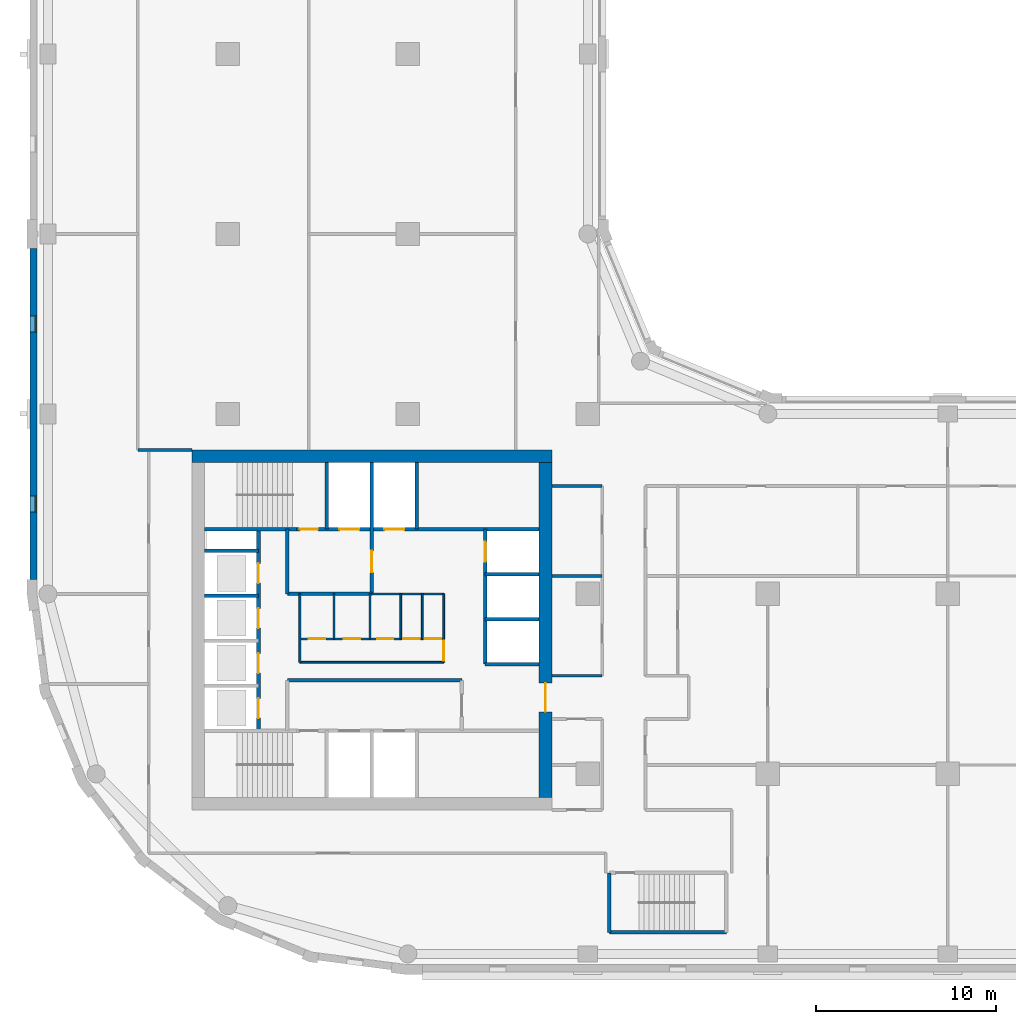
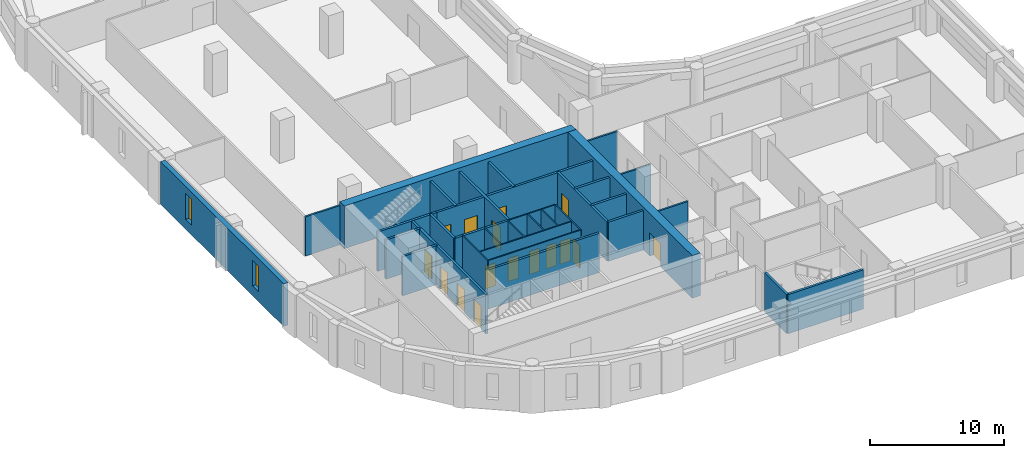
# One storey, part 3 of 10: 33 walls, 16 doors, 2 windows, 18 openings.
"""IFC4 building model written with IfcOpenShell, lengths in metres."""

from ifc_helpers import new_model, si_unit, direction, frame, frame_2d, origin, place, context, subcontext, project, spatial, rectangle, extrude, material, layer, layer_set, type_object, element, fill, save


model = new_model("IFC4")

# Units and contexts
model_context = context("Model", 3, precision=1e-05, world=origin(), true_north=direction((0.0, 1.0)))
body_context = subcontext(model_context, "Body", "Model", "MODEL_VIEW")
ifc_project = project(units=[si_unit("LENGTHUNIT", "METRE"), si_unit("AREAUNIT", "SQUARE_METRE"), si_unit("VOLUMEUNIT", "CUBIC_METRE"), si_unit("PLANEANGLEUNIT", "RADIAN"), si_unit("MASSUNIT", "GRAM", prefix="KILO")], contexts=[model_context])

# Site, building, storey
site_placement = place(None, origin())
site = spatial("IfcSite", under=ifc_project, at=site_placement, CompositionType="ELEMENT")
building_placement = place(site_placement, origin())
building = spatial("IfcBuilding", under=site, at=building_placement, Name="Qaws Garden Tower", CompositionType="ELEMENT")
storey_placement = place(building_placement, frame((0.0, 0.0, 186.300048828125)))
storey = spatial("IfcBuildingStorey", under=building, at=storey_placement, Name="L45", CompositionType="ELEMENT", Elevation=186.300048828125)

# Wall, openings, windows
ifc_material_1 = material(Name="Clay facing brick masonry", Category="masonry")
ifc_layer_1 = layer(ifc_material_1, 0.39990234375)
ifc_layer_set_1 = layer_set([ifc_layer_1], Name="Clay facing brick masonry")
wall_type_1 = type_object("IfcWallType", Name="Brick infill wall 400", PredefinedType="SOLIDWALL", material=ifc_layer_set_1)
wall_1_placement = place(storey_placement, frame((-0.800048828125, 39.199951171875, 0.0), z_axis=(0.0, 0.0, 1.0), x_axis=(0.0, -1.0, 0.0)))
wall_1 = element("IfcWall", 1, at=wall_1_placement, inside=storey, type_object=wall_type_1, Name="E-L45-infill-23", PredefinedType="SOLIDWALL", context=body_context, shape_type="SweptSolid", body=[
    extrude(rectangle(XDim=18.39990234375, YDim=0.39990234375, at=frame_2d((9.199951171875, 0.0))), origin(), (0.0, 0.0, 1.0), 3.89990234375),
])
opening_1_placement = place(wall_1_placement, frame((3.75, 0.0, 0.89990234375)))
opening_1 = element("IfcOpeningElement", 2, at=opening_1_placement, cuts=wall_1, Name="Opening W09", PredefinedType="OPENING", context=body_context, shape_type="SweptSolid", body=[
    extrude(rectangle(XDim=0.89990234375, YDim=2.35009765625, at=frame_2d((0.449951171875, 1.175048828125))), frame((0.0, 0.2099609375, 0.0), z_axis=(0.0, -1.0, 0.0), x_axis=(1.0, 0.0, 0.0)), (0.0, 0.0, 1.0), 0.419921875),
])
opening_2_placement = place(wall_1_placement, frame((13.75, 0.0, 0.89990234375)))
opening_2 = element("IfcOpeningElement", 3, at=opening_2_placement, cuts=wall_1, Name="Opening W09", PredefinedType="OPENING", context=body_context, shape_type="SweptSolid", body=[
    extrude(rectangle(XDim=0.89990234375, YDim=2.35009765625, at=frame_2d((0.449951171875, 1.175048828125))), frame((0.0, 0.2099609375, 0.0), z_axis=(0.0, -1.0, 0.0), x_axis=(1.0, 0.0, 0.0)), (0.0, 0.0, 1.0), 0.419921875),
])
ifc_material_2 = material(Name="Aluminium framed window, clear glazing", Category="aluminium")
window_type = type_object("IfcWindowType", Name="Slit window 900 x 2350", PartitioningType="SINGLE_PANEL", PredefinedType="WINDOW", material=ifc_material_2)
window_1_placement = place(opening_1_placement, origin())
window_1 = element("IfcWindow", 4, at=window_1_placement, inside=storey, type_object=window_type, Name="E-L45-window-23-0", OverallHeight=2.35009765625, OverallWidth=0.89990234375, PartitioningType="SINGLE_PANEL", PredefinedType="WINDOW", context=body_context, shape_type="SweptSolid", body=[
    extrude(rectangle(XDim=0.89990234375, YDim=2.35009765625, at=frame_2d((0.449951171875, 1.175048828125))), frame((0.0, 0.159912109375, 0.0), z_axis=(0.0, -1.0, 0.0), x_axis=(1.0, 0.0, 0.0)), (0.0, 0.0, 1.0), 0.06005859375),
])
fill(opening_1, window_1)
window_2_placement = place(opening_2_placement, origin())
window_2 = element("IfcWindow", 5, at=window_2_placement, inside=storey, type_object=window_type, Name="E-L45-window-24-0", OverallHeight=2.35009765625, OverallWidth=0.89990234375, PartitioningType="SINGLE_PANEL", PredefinedType="WINDOW", context=body_context, shape_type="SweptSolid", body=[
    extrude(rectangle(XDim=0.89990234375, YDim=2.35009765625, at=frame_2d((0.449951171875, 1.175048828125))), frame((0.0, 0.159912109375, 0.0), z_axis=(0.0, -1.0, 0.0), x_axis=(1.0, 0.0, 0.0)), (0.0, 0.0, 1.0), 0.06005859375),
])
fill(opening_2, window_2)

# Wall
ifc_material_3 = material(Name="Plasterboard")
ifc_layer_2 = layer(ifc_material_3, 0.10009765625)
ifc_layer_set_2 = layer_set([ifc_layer_2], Name="Plasterboard")
wall_type_2 = type_object("IfcWallType", Name="Core partition 100", PredefinedType="PARTITIONING", material=ifc_layer_set_2)
wall_2_placement = place(storey_placement, frame((14.0, 16.199951171875, 0.0), z_axis=(0.0, 0.0, 1.0), x_axis=(1.0, 0.0, 0.0)))
element("IfcWall", 6, at=wall_2_placement, inside=storey, type_object=wall_type_2, Name="Core partition", PredefinedType="PARTITIONING", context=body_context, shape_type="SweptSolid", body=[
    extrude(rectangle(XDim=8.0, YDim=0.10009765625, at=frame_2d((4.0, 0.0))), origin(), (0.0, 0.0, 1.0), 3.579833984375),
])

# Wall, openings, doors
wall_3_placement = place(storey_placement, frame((14.0, 17.5, 0.0), z_axis=(0.0, 0.0, 1.0), x_axis=(1.0, 0.0, 0.0)))
wall_3 = element("IfcWall", 7, at=wall_3_placement, inside=storey, type_object=wall_type_2, Name="Core partition", PredefinedType="PARTITIONING", context=body_context, shape_type="SweptSolid", body=[
    extrude(rectangle(XDim=8.0, YDim=0.10009765625, at=frame_2d((4.0, 0.0))), origin(), (0.0, 0.0, 1.0), 3.579833984375),
])
opening_3_placement = place(wall_3_placement, frame((0.5, 0.0, 0.0)))
opening_3 = element("IfcOpeningElement", 8, at=opening_3_placement, cuts=wall_3, Name="Opening WD18", PredefinedType="OPENING", context=body_context, shape_type="SweptSolid", body=[
    extrude(rectangle(XDim=0.89990234375, YDim=2.10009765625, at=frame_2d((0.449951171875, 1.050048828125))), frame((0.0, 0.06005859375, 0.0), z_axis=(0.0, -1.0, 0.0), x_axis=(1.0, 0.0, 0.0)), (0.0, 0.0, 1.0), 0.1201171875),
])
opening_4_placement = place(wall_3_placement, frame((2.449951171875, 0.0, 0.0)))
opening_4 = element("IfcOpeningElement", 9, at=opening_4_placement, cuts=wall_3, Name="Opening WD19", PredefinedType="OPENING", context=body_context, shape_type="SweptSolid", body=[
    extrude(rectangle(XDim=0.89990234375, YDim=2.10009765625, at=frame_2d((0.449951171875, 1.050048828125))), frame((0.0, 0.06005859375, 0.0), z_axis=(0.0, -1.0, 0.0), x_axis=(1.0, 0.0, 0.0)), (0.0, 0.0, 1.0), 0.1201171875),
])
opening_5_placement = place(wall_3_placement, frame((4.300048828125, 0.0, 0.0)))
opening_5 = element("IfcOpeningElement", 10, at=opening_5_placement, cuts=wall_3, Name="Opening WD20", PredefinedType="OPENING", context=body_context, shape_type="SweptSolid", body=[
    extrude(rectangle(XDim=0.89990234375, YDim=2.10009765625, at=frame_2d((0.449951171875, 1.050048828125))), frame((0.0, 0.06005859375, 0.0), z_axis=(0.0, -1.0, 0.0), x_axis=(1.0, 0.0, 0.0)), (0.0, 0.0, 1.0), 0.1201171875),
])
opening_6_placement = place(wall_3_placement, frame((5.75, 0.0, 0.0)))
opening_6 = element("IfcOpeningElement", 11, at=opening_6_placement, cuts=wall_3, Name="Opening WD21", PredefinedType="OPENING", context=body_context, shape_type="SweptSolid", body=[
    extrude(rectangle(XDim=0.89990234375, YDim=2.10009765625, at=frame_2d((0.449951171875, 1.050048828125))), frame((0.0, 0.06005859375, 0.0), z_axis=(0.0, -1.0, 0.0), x_axis=(1.0, 0.0, 0.0)), (0.0, 0.0, 1.0), 0.1201171875),
])
opening_7_placement = place(wall_3_placement, frame((6.949951171875, 0.0, 0.0)))
opening_7 = element("IfcOpeningElement", 12, at=opening_7_placement, cuts=wall_3, Name="Opening WD22", PredefinedType="OPENING", context=body_context, shape_type="SweptSolid", body=[
    extrude(rectangle(XDim=0.89990234375, YDim=2.10009765625, at=frame_2d((0.449951171875, 1.050048828125))), frame((0.0, 0.06005859375, 0.0), z_axis=(0.0, -1.0, 0.0), x_axis=(1.0, 0.0, 0.0)), (0.0, 0.0, 1.0), 0.1201171875),
])
ifc_material_4 = material(Name="Timber", Category="wood")
door_type_1 = type_object("IfcDoorType", Name="WC door 900x2100", OperationType="SINGLE_SWING_LEFT", PredefinedType="DOOR", material=ifc_material_4)
door_1_placement = place(opening_3_placement, origin())
door_1 = element("IfcDoor", 13, at=door_1_placement, inside=storey, type_object=door_type_1, Name="Men's WC door", OperationType="SINGLE_SWING_RIGHT", OverallHeight=2.10009765625, OverallWidth=0.89990234375, PredefinedType="DOOR", context=body_context, shape_type="SweptSolid", body=[
    extrude(rectangle(XDim=0.89990234375, YDim=2.10009765625, at=frame_2d((0.449951171875, 1.050048828125))), frame((0.0, 0.02490234375, 0.0), z_axis=(0.0, -1.0, 0.0), x_axis=(1.0, 0.0, 0.0)), (0.0, 0.0, 1.0), 0.050048828125),
])
fill(opening_3, door_1)
door_2_placement = place(opening_4_placement, origin())
door_2 = element("IfcDoor", 14, at=door_2_placement, inside=storey, type_object=door_type_1, Name="Women's WC door", OperationType="SINGLE_SWING_RIGHT", OverallHeight=2.10009765625, OverallWidth=0.89990234375, PredefinedType="DOOR", context=body_context, shape_type="SweptSolid", body=[
    extrude(rectangle(XDim=0.89990234375, YDim=2.10009765625, at=frame_2d((0.449951171875, 1.050048828125))), frame((0.0, 0.02490234375, 0.0), z_axis=(0.0, -1.0, 0.0), x_axis=(1.0, 0.0, 0.0)), (0.0, 0.0, 1.0), 0.050048828125),
])
fill(opening_4, door_2)
door_3_placement = place(opening_5_placement, origin())
door_3 = element("IfcDoor", 15, at=door_3_placement, inside=storey, type_object=door_type_1, Name="Accessible WC door", OperationType="SINGLE_SWING_RIGHT", OverallHeight=2.10009765625, OverallWidth=0.89990234375, PredefinedType="DOOR", context=body_context, shape_type="SweptSolid", body=[
    extrude(rectangle(XDim=0.89990234375, YDim=2.10009765625, at=frame_2d((0.449951171875, 1.050048828125))), frame((0.0, 0.02490234375, 0.0), z_axis=(0.0, -1.0, 0.0), x_axis=(1.0, 0.0, 0.0)), (0.0, 0.0, 1.0), 0.050048828125),
])
fill(opening_5, door_3)
door_4_placement = place(opening_6_placement, origin())
door_4 = element("IfcDoor", 16, at=door_4_placement, inside=storey, type_object=door_type_1, Name="Linen store door", OperationType="SINGLE_SWING_RIGHT", OverallHeight=2.10009765625, OverallWidth=0.89990234375, PredefinedType="DOOR", context=body_context, shape_type="SweptSolid", body=[
    extrude(rectangle(XDim=0.89990234375, YDim=2.10009765625, at=frame_2d((0.449951171875, 1.050048828125))), frame((0.0, 0.02490234375, 0.0), z_axis=(0.0, -1.0, 0.0), x_axis=(1.0, 0.0, 0.0)), (0.0, 0.0, 1.0), 0.050048828125),
])
fill(opening_6, door_4)
door_5_placement = place(opening_7_placement, origin())
door_5 = element("IfcDoor", 17, at=door_5_placement, inside=storey, type_object=door_type_1, Name="Cleaner's store door", OperationType="SINGLE_SWING_RIGHT", OverallHeight=2.10009765625, OverallWidth=0.89990234375, PredefinedType="DOOR", context=body_context, shape_type="SweptSolid", body=[
    extrude(rectangle(XDim=0.89990234375, YDim=2.10009765625, at=frame_2d((0.449951171875, 1.050048828125))), frame((0.0, 0.02490234375, 0.0), z_axis=(0.0, -1.0, 0.0), x_axis=(1.0, 0.0, 0.0)), (0.0, 0.0, 1.0), 0.050048828125),
])
fill(opening_7, door_5)

# Walls
wall_4_placement = place(storey_placement, frame((18.0, 20.0, 0.0), z_axis=(0.0, 0.0, 1.0), x_axis=(1.0, 0.0, 0.0)))
element("IfcWall", 18, at=wall_4_placement, inside=storey, type_object=wall_type_2, Name="Core partition", PredefinedType="PARTITIONING", context=body_context, shape_type="SweptSolid", body=[
    extrude(rectangle(XDim=4.0, YDim=0.10009765625, at=frame_2d((2.0, 0.0))), origin(), (0.0, 0.0, 1.0), 3.579833984375),
])
wall_5_placement = place(storey_placement, frame((14.0, 16.199951171875, 0.0), z_axis=(0.0, 0.0, 1.0), x_axis=(0.0, 1.0, 0.0)))
element("IfcWall", 19, at=wall_5_placement, inside=storey, type_object=wall_type_2, Name="Core partition", PredefinedType="PARTITIONING", context=body_context, shape_type="SweptSolid", body=[
    extrude(rectangle(XDim=3.800048828125, YDim=0.10009765625, at=frame_2d((1.89990234375, 0.0))), origin(), (0.0, 0.0, 1.0), 3.579833984375),
])
for number, where, z_axis, x_axis, name in (
    (20, (15.89990234375, 17.5, 0.0), (0.0, 0.0, 1.0), (0.0, 1.0, 0.0), "Core partition"),
    (21, (17.89990234375, 17.5, 0.0), (0.0, 0.0, 1.0), (0.0, 1.0, 0.0), "Core partition"),
    (22, (19.60009765625, 17.5, 0.0), (0.0, 0.0, 1.0), (0.0, 1.0, 0.0), "Core partition"),
    (23, (20.800048828125, 17.5, 0.0), (0.0, 0.0, 1.0), (0.0, 1.0, 0.0), "Core partition"),
):
    element("IfcWall", number, at=place(storey_placement, frame(where, z_axis=z_axis, x_axis=x_axis)), inside=storey, type_object=wall_type_2, Name=name, PredefinedType="PARTITIONING", context=body_context, shape_type="SweptSolid", body=[
        extrude(rectangle(XDim=2.5, YDim=0.10009765625, at=frame_2d((1.25, 0.0))), origin(), (0.0, 0.0, 1.0), 3.579833984375),
    ])

# Wall, opening, door
wall_6_placement = place(storey_placement, frame((22.0, 16.199951171875, 0.0), z_axis=(0.0, 0.0, 1.0), x_axis=(0.0, 1.0, 0.0)))
wall_6 = element("IfcWall", 24, at=wall_6_placement, inside=storey, type_object=wall_type_2, Name="Core partition", PredefinedType="PARTITIONING", context=body_context, shape_type="SweptSolid", body=[
    extrude(rectangle(XDim=3.800048828125, YDim=0.10009765625, at=frame_2d((1.89990234375, 0.0))), origin(), (0.0, 0.0, 1.0), 3.579833984375),
])
opening_8_placement = place(wall_6_placement, frame((0.10009765625, 0.0, 0.0)))
opening_8 = element("IfcOpeningElement", 25, at=opening_8_placement, cuts=wall_6, Name="Opening WL17", PredefinedType="OPENING", context=body_context, shape_type="SweptSolid", body=[
    extrude(rectangle(XDim=1.10009765625, YDim=2.10009765625, at=frame_2d((0.550048828125, 1.050048828125))), frame((0.0, 0.06005859375, 0.0), z_axis=(0.0, -1.0, 0.0), x_axis=(1.0, 0.0, 0.0)), (0.0, 0.0, 1.0), 0.1201171875),
])
ifc_material_5 = material(Name="Timber", Category="wood")
door_type_2 = type_object("IfcDoorType", Name="WC lobby door 1100x2100", OperationType="SINGLE_SWING_LEFT", PredefinedType="DOOR", material=ifc_material_5)
door_6_placement = place(opening_8_placement, origin())
door_6 = element("IfcDoor", 26, at=door_6_placement, inside=storey, type_object=door_type_2, Name="WC lobby door", OperationType="SINGLE_SWING_RIGHT", OverallHeight=2.10009765625, OverallWidth=1.10009765625, PredefinedType="DOOR", context=body_context, shape_type="SweptSolid", body=[
    extrude(rectangle(XDim=1.10009765625, YDim=2.10009765625, at=frame_2d((0.550048828125, 1.050048828125))), frame((0.0, 0.02490234375, 0.0), z_axis=(0.0, -1.0, 0.0), x_axis=(1.0, 0.0, 0.0)), (0.0, 0.0, 1.0), 0.050048828125),
])
fill(opening_8, door_6)

# Walls
ifc_material_6 = material(Name="Concrete C70", Category="concrete")
ifc_layer_3 = layer(ifc_material_6, 0.199951171875)
ifc_layer_set_3 = layer_set([ifc_layer_3], Name="Concrete C70")
wall_type_3 = type_object("IfcWallType", Name="Core shaft wall 200 C70", PredefinedType="SHEAR", material=ifc_layer_set_3)
wall_7_placement = place(storey_placement, frame((31.199951171875, 1.199951171875, 0.0), z_axis=(0.0, 0.0, 1.0), x_axis=(1.0, 0.0, 0.0)))
element("IfcWall", 27, at=wall_7_placement, inside=storey, type_object=wall_type_3, Name="Shaft wall", PredefinedType="SHEAR", context=body_context, shape_type="SweptSolid", body=[
    extrude(rectangle(XDim=6.5, YDim=0.199951171875, at=frame_2d((3.25, 0.0))), origin(), (0.0, 0.0, 1.0), 3.579833984375),
])
wall_8_placement = place(storey_placement, frame((13.300048828125, 15.199951171875, 0.0), z_axis=(0.0, 0.0, 1.0), x_axis=(1.0, 0.0, 0.0)))
element("IfcWall", 28, at=wall_8_placement, inside=storey, type_object=wall_type_3, Name="Shaft wall", PredefinedType="SHEAR", context=body_context, shape_type="SweptSolid", body=[
    extrude(rectangle(XDim=9.699951171875, YDim=0.199951171875, at=frame_2d((4.85009765625, 0.0))), origin(), (0.0, 0.0, 1.0), 3.579833984375),
])
for number, where, z_axis, x_axis, name in (
    (29, (24.300048828125, 16.10009765625, 0.0), (0.0, 0.0, 1.0), (1.0, 0.0, 0.0), "Shaft wall"),
    (30, (24.300048828125, 18.60009765625, 0.0), (0.0, 0.0, 1.0), (1.0, 0.0, 0.0), "Shaft wall"),
    (31, (8.699951171875, 19.89990234375, 0.0), (0.0, 0.0, 1.0), (1.0, 0.0, 0.0), "Shaft wall"),
):
    element("IfcWall", number, at=place(storey_placement, frame(where, z_axis=z_axis, x_axis=x_axis)), inside=storey, type_object=wall_type_3, Name=name, PredefinedType="SHEAR", context=body_context, shape_type="SweptSolid", body=[
        extrude(rectangle(XDim=3.0, YDim=0.199951171875, at=frame_2d((1.5, 0.0))), origin(), (0.0, 0.0, 1.0), 3.579833984375),
    ])
wall_9_placement = place(storey_placement, frame((13.300048828125, 20.0, 0.0), z_axis=(0.0, 0.0, 1.0), x_axis=(1.0, 0.0, 0.0)))
element("IfcWall", 32, at=wall_9_placement, inside=storey, type_object=wall_type_3, Name="Shaft wall", PredefinedType="SHEAR", context=body_context, shape_type="SweptSolid", body=[
    extrude(rectangle(XDim=4.699951171875, YDim=0.199951171875, at=frame_2d((2.35009765625, 0.0))), origin(), (0.0, 0.0, 1.0), 3.579833984375),
])
for number, where, z_axis, x_axis, name in (
    (33, (24.300048828125, 21.10009765625, 0.0), (0.0, 0.0, 1.0), (1.0, 0.0, 0.0), "Shaft wall"),
    (34, (8.699951171875, 22.39990234375, 0.0), (0.0, 0.0, 1.0), (1.0, 0.0, 0.0), "Shaft wall"),
):
    element("IfcWall", number, at=place(storey_placement, frame(where, z_axis=z_axis, x_axis=x_axis)), inside=storey, type_object=wall_type_3, Name=name, PredefinedType="SHEAR", context=body_context, shape_type="SweptSolid", body=[
        extrude(rectangle(XDim=3.0, YDim=0.199951171875, at=frame_2d((1.5, 0.0))), origin(), (0.0, 0.0, 1.0), 3.579833984375),
    ])
wall_10_placement = place(storey_placement, frame((8.699951171875, 23.60009765625, 0.0), z_axis=(0.0, 0.0, 1.0), x_axis=(1.0, 0.0, 0.0)))
element("IfcWall", 35, at=wall_10_placement, inside=storey, type_object=wall_type_3, Name="Shaft wall", PredefinedType="SHEAR", context=body_context, shape_type="SweptSolid", body=[
    extrude(rectangle(XDim=5.10009765625, YDim=0.199951171875, at=frame_2d((2.550048828125, 0.0))), origin(), (0.0, 0.0, 1.0), 3.579833984375),
])

# Wall, openings, doors
wall_11_placement = place(storey_placement, frame((13.800048828125, 23.60009765625, 0.0), z_axis=(0.0, 0.0, 1.0), x_axis=(1.0, 0.0, 0.0)))
wall_11 = element("IfcWall", 36, at=wall_11_placement, inside=storey, type_object=wall_type_3, Name="Shaft wall", PredefinedType="SHEAR", context=body_context, shape_type="SweptSolid", body=[
    extrude(rectangle(XDim=13.5, YDim=0.199951171875, at=frame_2d((6.75, 0.0))), origin(), (0.0, 0.0, 1.0), 3.579833984375),
])
opening_9_placement = place(wall_11_placement, frame((2.39990234375, 0.0, 0.0)))
opening_9 = element("IfcOpeningElement", 37, at=opening_9_placement, cuts=wall_11, Name="Opening LD08", PredefinedType="OPENING", context=body_context, shape_type="SweptSolid", body=[
    extrude(rectangle(XDim=1.10009765625, YDim=2.10009765625, at=frame_2d((0.550048828125, 1.050048828125))), frame((0.0, 0.10986328125, 0.0), z_axis=(0.0, -1.0, 0.0), x_axis=(1.0, 0.0, 0.0)), (0.0, 0.0, 1.0), 0.219970703125),
])
opening_10_placement = place(wall_11_placement, frame((4.89990234375, 0.0, 0.0)))
opening_10 = element("IfcOpeningElement", 38, at=opening_10_placement, cuts=wall_11, Name="Opening LD09", PredefinedType="OPENING", context=body_context, shape_type="SweptSolid", body=[
    extrude(rectangle(XDim=1.10009765625, YDim=2.10009765625, at=frame_2d((0.550048828125, 1.050048828125))), frame((0.0, 0.10986328125, 0.0), z_axis=(0.0, -1.0, 0.0), x_axis=(1.0, 0.0, 0.0)), (0.0, 0.0, 1.0), 0.219970703125),
])
opening_11_placement = place(wall_11_placement, frame((0.199951171875, 0.0, 0.0)))
opening_11 = element("IfcOpeningElement", 39, at=opening_11_placement, cuts=wall_11, Name="Opening SD11", PredefinedType="OPENING", context=body_context, shape_type="SweptSolid", body=[
    extrude(rectangle(XDim=1.0, YDim=2.10009765625, at=frame_2d((0.5, 1.050048828125))), frame((0.0, 0.10986328125, 0.0), z_axis=(0.0, -1.0, 0.0), x_axis=(1.0, 0.0, 0.0)), (0.0, 0.0, 1.0), 0.219970703125),
])
ifc_material_7 = material(Name="Steel S235", Category="steel")
door_type_3 = type_object("IfcDoorType", Name="Landing door 1100x2100", OperationType="DOUBLE_DOOR_SLIDING", PredefinedType="DOOR", material=ifc_material_7)
door_7_placement = place(opening_9_placement, origin())
door_7 = element("IfcDoor", 40, at=door_7_placement, inside=storey, type_object=door_type_3, Name="Lift FF3 landing door", OperationType="DOUBLE_DOOR_SLIDING", OverallHeight=2.10009765625, OverallWidth=1.10009765625, PredefinedType="DOOR", context=body_context, shape_type="SweptSolid", body=[
    extrude(rectangle(XDim=1.10009765625, YDim=2.10009765625, at=frame_2d((0.550048828125, 1.050048828125))), frame((0.0, 0.02490234375, 0.0), z_axis=(0.0, -1.0, 0.0), x_axis=(1.0, 0.0, 0.0)), (0.0, 0.0, 1.0), 0.050048828125),
])
fill(opening_9, door_7)
door_8_placement = place(opening_10_placement, origin())
door_8 = element("IfcDoor", 41, at=door_8_placement, inside=storey, type_object=door_type_3, Name="Lift SV2 landing door", OperationType="DOUBLE_DOOR_SLIDING", OverallHeight=2.10009765625, OverallWidth=1.10009765625, PredefinedType="DOOR", context=body_context, shape_type="SweptSolid", body=[
    extrude(rectangle(XDim=1.10009765625, YDim=2.10009765625, at=frame_2d((0.550048828125, 1.050048828125))), frame((0.0, 0.02490234375, 0.0), z_axis=(0.0, -1.0, 0.0), x_axis=(1.0, 0.0, 0.0)), (0.0, 0.0, 1.0), 0.050048828125),
])
fill(opening_10, door_8)
ifc_material_8 = material(Name="Steel S235", Category="steel")
door_type_4 = type_object("IfcDoorType", Name="Stair door 1000x2100", OperationType="SINGLE_SWING_RIGHT", PredefinedType="DOOR", material=ifc_material_8)
door_9_placement = place(opening_11_placement, origin())
door_9 = element("IfcDoor", 42, at=door_9_placement, inside=storey, type_object=door_type_4, Name="Stair 4 door", OperationType="SINGLE_SWING_RIGHT", OverallHeight=2.10009765625, OverallWidth=1.0, PredefinedType="DOOR", context=body_context, shape_type="SweptSolid", body=[
    extrude(rectangle(XDim=1.0, YDim=2.10009765625, at=frame_2d((0.5, 1.050048828125))), frame((0.0, 0.02490234375, 0.0), z_axis=(0.0, -1.0, 0.0), x_axis=(1.0, 0.0, 0.0)), (0.0, 0.0, 1.0), 0.050048828125),
])
fill(opening_11, door_9)

wall_12_placement = place(storey_placement, frame((11.699951171875, 12.39990234375, 0.0), z_axis=(0.0, 0.0, 1.0), x_axis=(0.0, 1.0, 0.0)))
wall_12 = element("IfcWall", 43, at=wall_12_placement, inside=storey, type_object=wall_type_3, Name="Shaft wall", PredefinedType="SHEAR", context=body_context, shape_type="SweptSolid", body=[
    extrude(rectangle(XDim=11.2001953125, YDim=0.199951171875, at=frame_2d((5.60009765625, 0.0))), origin(), (0.0, 0.0, 1.0), 3.579833984375),
])
opening_12_placement = place(wall_12_placement, frame((0.699951171875, 0.0, 0.0)))
opening_12 = element("IfcOpeningElement", 44, at=opening_12_placement, cuts=wall_12, Name="Opening LD01", PredefinedType="OPENING", context=body_context, shape_type="SweptSolid", body=[
    extrude(rectangle(XDim=1.10009765625, YDim=2.10009765625, at=frame_2d((0.550048828125, 1.050048828125))), frame((0.0, 0.10986328125, 0.0), z_axis=(0.0, -1.0, 0.0), x_axis=(1.0, 0.0, 0.0)), (0.0, 0.0, 1.0), 0.219970703125),
])
opening_13_placement = place(wall_12_placement, frame((3.199951171875, 0.0, 0.0)))
opening_13 = element("IfcOpeningElement", 45, at=opening_13_placement, cuts=wall_12, Name="Opening LD02", PredefinedType="OPENING", context=body_context, shape_type="SweptSolid", body=[
    extrude(rectangle(XDim=1.10009765625, YDim=2.10009765625, at=frame_2d((0.550048828125, 1.050048828125))), frame((0.0, 0.10986328125, 0.0), z_axis=(0.0, -1.0, 0.0), x_axis=(1.0, 0.0, 0.0)), (0.0, 0.0, 1.0), 0.219970703125),
])
opening_14_placement = place(wall_12_placement, frame((5.699951171875, 0.0, 0.0)))
opening_14 = element("IfcOpeningElement", 46, at=opening_14_placement, cuts=wall_12, Name="Opening LD03", PredefinedType="OPENING", context=body_context, shape_type="SweptSolid", body=[
    extrude(rectangle(XDim=1.10009765625, YDim=2.10009765625, at=frame_2d((0.550048828125, 1.050048828125))), frame((0.0, 0.10986328125, 0.0), z_axis=(0.0, -1.0, 0.0), x_axis=(1.0, 0.0, 0.0)), (0.0, 0.0, 1.0), 0.219970703125),
])
opening_15_placement = place(wall_12_placement, frame((8.199951171875, 0.0, 0.0)))
opening_15 = element("IfcOpeningElement", 47, at=opening_15_placement, cuts=wall_12, Name="Opening LD04", PredefinedType="OPENING", context=body_context, shape_type="SweptSolid", body=[
    extrude(rectangle(XDim=1.10009765625, YDim=2.10009765625, at=frame_2d((0.550048828125, 1.050048828125))), frame((0.0, 0.10986328125, 0.0), z_axis=(0.0, -1.0, 0.0), x_axis=(1.0, 0.0, 0.0)), (0.0, 0.0, 1.0), 0.219970703125),
])
door_10_placement = place(opening_12_placement, origin())
door_10 = element("IfcDoor", 48, at=door_10_placement, inside=storey, type_object=door_type_3, Name="Lift W1 landing door", OperationType="DOUBLE_DOOR_SLIDING", OverallHeight=2.10009765625, OverallWidth=1.10009765625, PredefinedType="DOOR", context=body_context, shape_type="SweptSolid", body=[
    extrude(rectangle(XDim=1.10009765625, YDim=2.10009765625, at=frame_2d((0.550048828125, 1.050048828125))), frame((0.0, 0.02490234375, 0.0), z_axis=(0.0, -1.0, 0.0), x_axis=(1.0, 0.0, 0.0)), (0.0, 0.0, 1.0), 0.050048828125),
])
fill(opening_12, door_10)
door_11_placement = place(opening_13_placement, origin())
door_11 = element("IfcDoor", 49, at=door_11_placement, inside=storey, type_object=door_type_3, Name="Lift W2 landing door", OperationType="DOUBLE_DOOR_SLIDING", OverallHeight=2.10009765625, OverallWidth=1.10009765625, PredefinedType="DOOR", context=body_context, shape_type="SweptSolid", body=[
    extrude(rectangle(XDim=1.10009765625, YDim=2.10009765625, at=frame_2d((0.550048828125, 1.050048828125))), frame((0.0, 0.02490234375, 0.0), z_axis=(0.0, -1.0, 0.0), x_axis=(1.0, 0.0, 0.0)), (0.0, 0.0, 1.0), 0.050048828125),
])
fill(opening_13, door_11)
door_12_placement = place(opening_14_placement, origin())
door_12 = element("IfcDoor", 50, at=door_12_placement, inside=storey, type_object=door_type_3, Name="Lift W3 landing door", OperationType="DOUBLE_DOOR_SLIDING", OverallHeight=2.10009765625, OverallWidth=1.10009765625, PredefinedType="DOOR", context=body_context, shape_type="SweptSolid", body=[
    extrude(rectangle(XDim=1.10009765625, YDim=2.10009765625, at=frame_2d((0.550048828125, 1.050048828125))), frame((0.0, 0.02490234375, 0.0), z_axis=(0.0, -1.0, 0.0), x_axis=(1.0, 0.0, 0.0)), (0.0, 0.0, 1.0), 0.050048828125),
])
fill(opening_14, door_12)
door_13_placement = place(opening_15_placement, origin())
door_13 = element("IfcDoor", 51, at=door_13_placement, inside=storey, type_object=door_type_3, Name="Lift W4 landing door", OperationType="DOUBLE_DOOR_SLIDING", OverallHeight=2.10009765625, OverallWidth=1.10009765625, PredefinedType="DOOR", context=body_context, shape_type="SweptSolid", body=[
    extrude(rectangle(XDim=1.10009765625, YDim=2.10009765625, at=frame_2d((0.550048828125, 1.050048828125))), frame((0.0, 0.02490234375, 0.0), z_axis=(0.0, -1.0, 0.0), x_axis=(1.0, 0.0, 0.0)), (0.0, 0.0, 1.0), 0.050048828125),
])
fill(opening_15, door_13)

# Walls
wall_13_placement = place(storey_placement, frame((13.300048828125, 20.0, 0.0), z_axis=(0.0, 0.0, 1.0), x_axis=(0.0, 1.0, 0.0)))
element("IfcWall", 52, at=wall_13_placement, inside=storey, type_object=wall_type_3, Name="Shaft wall", PredefinedType="SHEAR", context=body_context, shape_type="SweptSolid", body=[
    extrude(rectangle(XDim=3.60009765625, YDim=0.199951171875, at=frame_2d((1.800048828125, 0.0))), origin(), (0.0, 0.0, 1.0), 3.579833984375),
])
wall_14_placement = place(storey_placement, frame((15.5, 23.60009765625, 0.0), z_axis=(0.0, 0.0, 1.0), x_axis=(0.0, 1.0, 0.0)))
element("IfcWall", 53, at=wall_14_placement, inside=storey, type_object=wall_type_3, Name="Shaft wall", PredefinedType="SHEAR", context=body_context, shape_type="SweptSolid", body=[
    extrude(rectangle(XDim=3.699951171875, YDim=0.199951171875, at=frame_2d((1.85009765625, 0.0))), origin(), (0.0, 0.0, 1.0), 3.579833984375),
])

# Wall, opening, door
wall_15_placement = place(storey_placement, frame((18.0, 20.0, 0.0), z_axis=(0.0, 0.0, 1.0), x_axis=(0.0, 1.0, 0.0)))
wall_15 = element("IfcWall", 54, at=wall_15_placement, inside=storey, type_object=wall_type_3, Name="Shaft wall", PredefinedType="SHEAR", context=body_context, shape_type="SweptSolid", body=[
    extrude(rectangle(XDim=7.300048828125, YDim=0.199951171875, at=frame_2d((3.64990234375, 0.0))), origin(), (0.0, 0.0, 1.0), 3.579833984375),
])
opening_16_placement = place(wall_15_placement, frame((1.199951171875, 0.0, 0.0)))
opening_16 = element("IfcOpeningElement", 55, at=opening_16_placement, cuts=wall_15, Name="Opening FD16", PredefinedType="OPENING", context=body_context, shape_type="SweptSolid", body=[
    extrude(rectangle(XDim=1.199951171875, YDim=2.10009765625, at=frame_2d((0.60009765625, 1.050048828125))), frame((0.0, 0.10986328125, 0.0), z_axis=(0.0, -1.0, 0.0), x_axis=(1.0, 0.0, 0.0)), (0.0, 0.0, 1.0), 0.219970703125),
])
ifc_material_9 = material(Name="Steel S235", Category="steel")
door_type_5 = type_object("IfcDoorType", Name="Lobby door 1200x2100", OperationType="DOUBLE_DOOR_SINGLE_SWING", PredefinedType="DOOR", material=ifc_material_9)
door_14_placement = place(opening_16_placement, origin())
door_14 = element("IfcDoor", 56, at=door_14_placement, inside=storey, type_object=door_type_5, Name="Fire-fighting lobby door", OperationType="DOUBLE_DOOR_SINGLE_SWING", OverallHeight=2.10009765625, OverallWidth=1.199951171875, PredefinedType="DOOR", context=body_context, shape_type="SweptSolid", body=[
    extrude(rectangle(XDim=1.199951171875, YDim=2.10009765625, at=frame_2d((0.60009765625, 1.050048828125))), frame((0.0, 0.02490234375, 0.0), z_axis=(0.0, -1.0, 0.0), x_axis=(1.0, 0.0, 0.0)), (0.0, 0.0, 1.0), 0.050048828125),
])
fill(opening_16, door_14)

# Wall
wall_16_placement = place(storey_placement, frame((20.5, 23.60009765625, 0.0), z_axis=(0.0, 0.0, 1.0), x_axis=(0.0, 1.0, 0.0)))
element("IfcWall", 57, at=wall_16_placement, inside=storey, type_object=wall_type_3, Name="Shaft wall", PredefinedType="SHEAR", context=body_context, shape_type="SweptSolid", body=[
    extrude(rectangle(XDim=3.699951171875, YDim=0.199951171875, at=frame_2d((1.85009765625, 0.0))), origin(), (0.0, 0.0, 1.0), 3.579833984375),
])

# Wall, opening, door
wall_17_placement = place(storey_placement, frame((24.300048828125, 16.10009765625, 0.0), z_axis=(0.0, 0.0, 1.0), x_axis=(0.0, 1.0, 0.0)))
wall_17 = element("IfcWall", 58, at=wall_17_placement, inside=storey, type_object=wall_type_3, Name="Shaft wall", PredefinedType="SHEAR", context=body_context, shape_type="SweptSolid", body=[
    extrude(rectangle(XDim=7.5, YDim=0.199951171875, at=frame_2d((3.75, 0.0))), origin(), (0.0, 0.0, 1.0), 3.579833984375),
])
opening_17_placement = place(wall_17_placement, frame((5.699951171875, 0.0, 0.0)))
opening_17 = element("IfcOpeningElement", 59, at=opening_17_placement, cuts=wall_17, Name="Opening LD05", PredefinedType="OPENING", context=body_context, shape_type="SweptSolid", body=[
    extrude(rectangle(XDim=1.10009765625, YDim=2.10009765625, at=frame_2d((0.550048828125, 1.050048828125))), frame((0.0, 0.10986328125, 0.0), z_axis=(0.0, -1.0, 0.0), x_axis=(1.0, 0.0, 0.0)), (0.0, 0.0, 1.0), 0.219970703125),
])
door_15_placement = place(opening_17_placement, origin())
door_15 = element("IfcDoor", 60, at=door_15_placement, inside=storey, type_object=door_type_3, Name="Lift E3 landing door", OperationType="DOUBLE_DOOR_SLIDING", OverallHeight=2.10009765625, OverallWidth=1.10009765625, PredefinedType="DOOR", context=body_context, shape_type="SweptSolid", body=[
    extrude(rectangle(XDim=1.10009765625, YDim=2.10009765625, at=frame_2d((0.550048828125, 1.050048828125))), frame((0.0, 0.02490234375, 0.0), z_axis=(0.0, -1.0, 0.0), x_axis=(1.0, 0.0, 0.0)), (0.0, 0.0, 1.0), 0.050048828125),
])
fill(opening_17, door_15)

# Wall
wall_18_placement = place(storey_placement, frame((31.199951171875, 1.199951171875, 0.0), z_axis=(0.0, 0.0, 1.0), x_axis=(0.0, 1.0, 0.0)))
element("IfcWall", 61, at=wall_18_placement, inside=storey, type_object=wall_type_3, Name="Shaft wall", PredefinedType="SHEAR", context=body_context, shape_type="SweptSolid", body=[
    extrude(rectangle(XDim=3.300048828125, YDim=0.199951171875, at=frame_2d((1.64990234375, 0.0))), origin(), (0.0, 0.0, 1.0), 3.579833984375),
])

# Wall, opening, door
ifc_material_10 = material(Name="Concrete C70", Category="concrete")
ifc_layer_4 = layer(ifc_material_10, 0.699951171875)
ifc_layer_set_4 = layer_set([ifc_layer_4], Name="Concrete C70")
wall_type_4 = type_object("IfcWallType", Name="Core wall 700 C70", PredefinedType="SHEAR", material=ifc_layer_set_4)
wall_19_placement = place(storey_placement, frame((27.64990234375, 8.699951171875, 0.0), z_axis=(0.0, 0.0, 1.0), x_axis=(0.0, 1.0, 0.0)))
wall_19 = element("IfcWall", 62, at=wall_19_placement, inside=storey, type_object=wall_type_4, Name="Core wall L45 east", PredefinedType="SHEAR", context=body_context, shape_type="SweptSolid", body=[
    extrude(rectangle(XDim=18.60009765625, YDim=0.699951171875, at=frame_2d((9.300048828125, 0.0))), origin(), (0.0, 0.0, 1.0), 3.89990234375),
])
opening_18_placement = place(wall_19_placement, frame((4.75, 0.0, 0.0)))
opening_18 = element("IfcOpeningElement", 63, at=opening_18_placement, cuts=wall_19, Name="Opening ED23", PredefinedType="OPENING", context=body_context, shape_type="SweptSolid", body=[
    extrude(rectangle(XDim=1.60009765625, YDim=2.10009765625, at=frame_2d((0.800048828125, 1.050048828125))), frame((0.0, 0.35986328125, 0.0), z_axis=(0.0, -1.0, 0.0), x_axis=(1.0, 0.0, 0.0)), (0.0, 0.0, 1.0), 0.719970703125),
])
ifc_material_11 = material(Name="Steel S235", Category="steel")
door_type_6 = type_object("IfcDoorType", Name="Core entrance door 1600x2100", OperationType="DOUBLE_DOOR_SINGLE_SWING", PredefinedType="DOOR", material=ifc_material_11)
door_16_placement = place(opening_18_placement, origin())
door_16 = element("IfcDoor", 64, at=door_16_placement, inside=storey, type_object=door_type_6, Name="Core entrance door", OperationType="DOUBLE_DOOR_SINGLE_SWING", OverallHeight=2.10009765625, OverallWidth=1.60009765625, PredefinedType="DOOR", context=body_context, shape_type="SweptSolid", body=[
    extrude(rectangle(XDim=1.60009765625, YDim=2.10009765625, at=frame_2d((0.800048828125, 1.050048828125))), frame((0.0, 0.02490234375, 0.0), z_axis=(0.0, -1.0, 0.0), x_axis=(1.0, 0.0, 0.0)), (0.0, 0.0, 1.0), 0.050048828125),
])
fill(opening_18, door_16)

# Walls
wall_20_placement = place(storey_placement, frame((28.0, 27.64990234375, 0.0), z_axis=(0.0, 0.0, 1.0), x_axis=(-1.0, 0.0, 0.0)))
element("IfcWall", 65, at=wall_20_placement, inside=storey, type_object=wall_type_4, Name="Core wall L45 north", PredefinedType="SHEAR", context=body_context, shape_type="SweptSolid", body=[
    extrude(rectangle(XDim=20.0, YDim=0.699951171875, at=frame_2d((10.0, 0.0))), origin(), (0.0, 0.0, 1.0), 3.89990234375),
])
ifc_material_12 = material(Name="Gypsum board partition")
ifc_layer_5 = layer(ifc_material_12, 0.14990234375)
ifc_layer_set_5 = layer_set([ifc_layer_5], Name="Gypsum board partition")
wall_type_5 = type_object("IfcWallType", Name="PARTITION 150 EI 60", PredefinedType="PARTITIONING", material=ifc_layer_set_5)
for number, where, z_axis, x_axis, name in (
    (66, (28.0, 15.449951171875, 0.0), (0.0, 0.0, 1.0), (1.0, 0.0, 0.0), "O-L45-wall-037"),
    (67, (28.0, 21.0, 0.0), (0.0, 0.0, 1.0), (1.0, 0.0, 0.0), "O-L45-wall-040"),
    (68, (28.0, 26.0, 0.0), (0.0, 0.0, 1.0), (1.0, 0.0, 0.0), "O-L45-wall-042"),
):
    element("IfcWall", number, at=place(storey_placement, frame(where, z_axis=z_axis, x_axis=x_axis)), inside=storey, type_object=wall_type_5, Name=name, PredefinedType="PARTITIONING", context=body_context, shape_type="SweptSolid", body=[
        extrude(rectangle(XDim=2.800048828125, YDim=0.14990234375, at=frame_2d((1.39990234375, 0.0))), origin(), (0.0, 0.0, 1.0), 3.579833984375),
    ])
wall_21_placement = place(storey_placement, frame((5.0, 28.0, 0.0), z_axis=(0.0, 0.0, 1.0), x_axis=(1.0, 0.0, 0.0)))
element("IfcWall", 69, at=wall_21_placement, inside=storey, type_object=wall_type_5, Name="O-L45-wall-044", PredefinedType="PARTITIONING", context=body_context, shape_type="SweptSolid", body=[
    extrude(rectangle(XDim=3.0, YDim=0.14990234375, at=frame_2d((1.5, 0.0))), origin(), (0.0, 0.0, 1.0), 3.579833984375),
])

save(model, "model.ifc")
